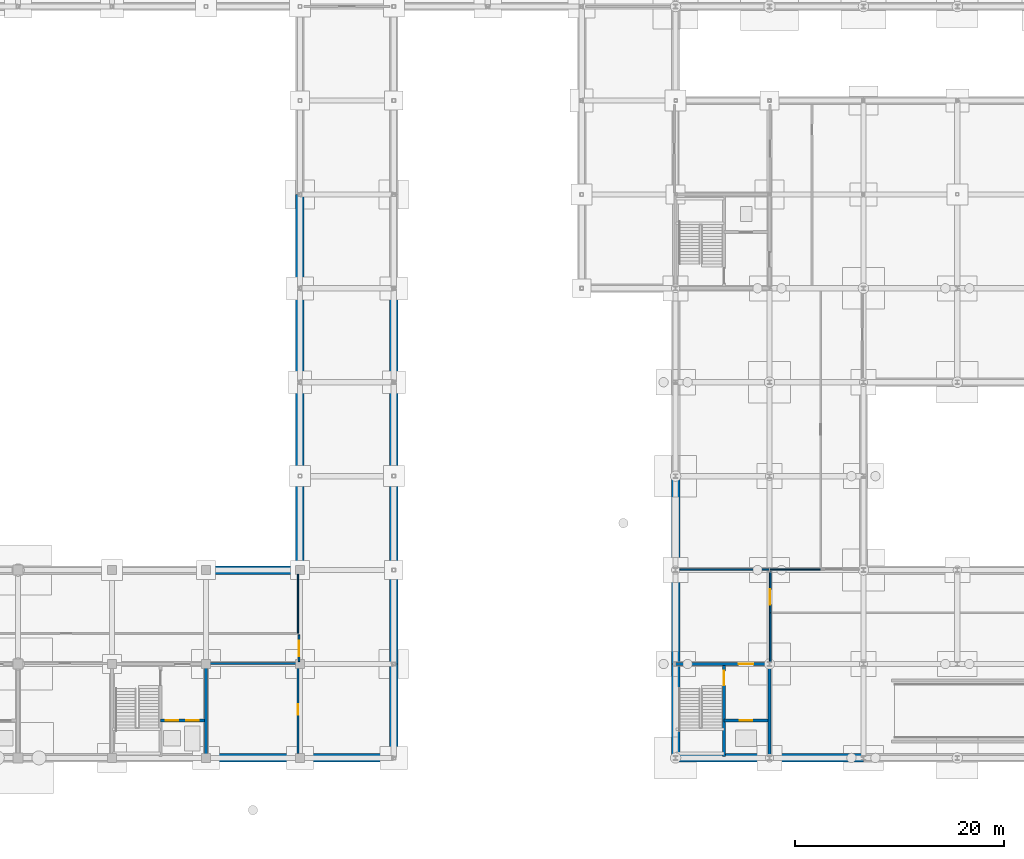
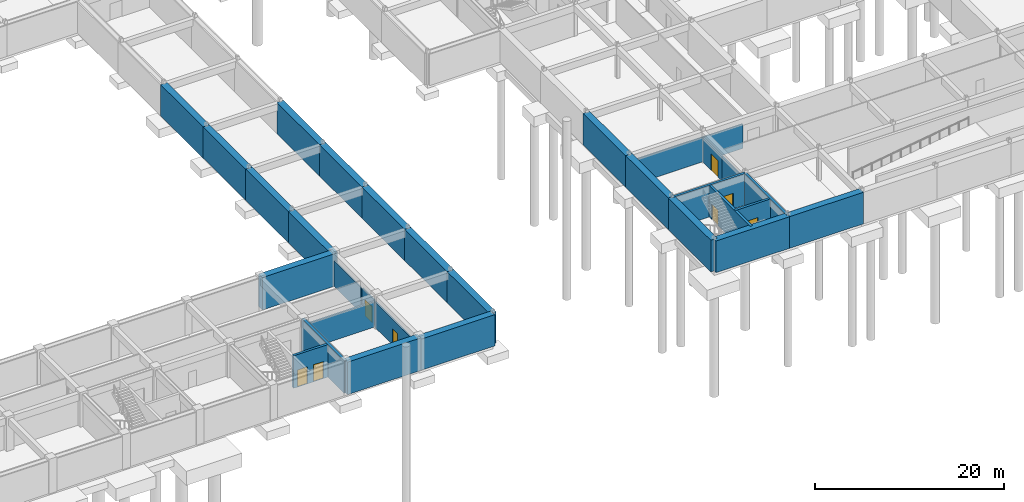
# One storey, part 26 of 41: 31 walls, 8 doors, 8 openings.
"""IFC4 building model written with IfcOpenShell, lengths in metres."""

from ifc_helpers import new_model, si_unit, direction, frame, frame_2d, origin, place, context, subcontext, project, spatial, rectangle, extrude, material, layer, layer_set, type_object, element, fill, save


model = new_model("IFC4")

# Units and contexts
model_context = context("Model", 3, precision=1e-05, world=origin(), true_north=direction((0.0, 1.0)))
body_context = subcontext(model_context, "Body", "Model", "MODEL_VIEW")
ifc_project = project(units=[si_unit("LENGTHUNIT", "METRE"), si_unit("AREAUNIT", "SQUARE_METRE"), si_unit("VOLUMEUNIT", "CUBIC_METRE"), si_unit("PLANEANGLEUNIT", "RADIAN"), si_unit("MASSUNIT", "GRAM", prefix="KILO")], contexts=[model_context])

# Site, building, storey
site_placement = place(None, origin())
site = spatial("IfcSite", under=ifc_project, at=site_placement, CompositionType="ELEMENT")
building_placement = place(site_placement, origin())
building = spatial("IfcBuilding", under=site, at=building_placement, Name="Palais des Congres Ocreval", CompositionType="ELEMENT")
storey_placement = place(building_placement, frame((0.0, 0.0, -8.9599609375)))
storey = spatial("IfcBuildingStorey", under=building, at=storey_placement, Name="B2", CompositionType="ELEMENT", Elevation=-8.9599609375)

# Wall
ifc_material_1 = material(Name="Gypsum acoustic fire board")
ifc_layer_1 = layer(ifc_material_1, 0.199951171875)
ifc_layer_set_1 = layer_set([ifc_layer_1], Name="Compartment Fire Partition 200 Gypsum (Gypsum acoustic fire board)")
wall_type_1 = type_object("IfcWallType", Name="Compartment Fire Partition 200 Gypsum", PredefinedType="PARTITIONING", material=ifc_layer_set_1)
wall_1_placement = place(storey_placement, frame((63.155029296875, 9.06494140625, 0.0), z_axis=(0.0, 0.0, 1.0), x_axis=(1.0, 0.0, 0.0)))
element("IfcWall", 1, at=wall_1_placement, inside=storey, type_object=wall_type_1, Name="Interior Partition IW01 B2", PredefinedType="PARTITIONING", context=body_context, shape_type="SweptSolid", body=[
    extrude(rectangle(XDim=8.574951171875, YDim=0.199951171875, at=frame_2d((4.28759765625, 0.0))), origin(), (0.0, 0.0, 1.0), 3.300048828125),
])

# Wall, opening, door
wall_2_placement = place(storey_placement, frame((71.824951171875, 0.405029296875, 0.0), z_axis=(0.0, 0.0, 1.0), x_axis=(0.0, 1.0, 0.0)))
wall_2 = element("IfcWall", 2, at=wall_2_placement, inside=storey, type_object=wall_type_1, Name="Interior Partition IW01 B2", PredefinedType="PARTITIONING", context=body_context, shape_type="SweptSolid", body=[
    extrude(rectangle(XDim=8.5048828125, YDim=0.199951171875, at=frame_2d((4.25244140625, 0.0))), origin(), (0.0, 0.0, 1.0), 3.300048828125),
])
opening_1_placement = place(wall_2_placement, frame((3.75244140625, 0.0, 0.0)))
opening_1 = element("IfcOpeningElement", 3, at=opening_1_placement, cuts=wall_2, Name="Opening D10", PredefinedType="OPENING", context=body_context, shape_type="SweptSolid", body=[
    extrude(rectangle(XDim=1.0, YDim=2.10009765625, at=frame_2d((0.5, 1.050048828125))), frame((0.0, 0.10986328125, 0.0), z_axis=(0.0, -1.0, 0.0), x_axis=(1.0, 0.0, 0.0)), (0.0, 0.0, 1.0), 0.219970703125),
])
ifc_material_2 = material(Name="Painted steel", Category="steel")
door_type_1 = type_object("IfcDoorType", Name="Service and Pantry Door 1000x2100", OperationType="NOTDEFINED", PredefinedType="DOOR", material=ifc_material_2)
door_1_placement = place(opening_1_placement, origin())
door_1 = element("IfcDoor", 4, at=door_1_placement, inside=storey, type_object=door_type_1, Name="Interior Door D10 B2", OperationType="SINGLE_SWING_LEFT", OverallHeight=2.10009765625, OverallWidth=1.0, PredefinedType="DOOR", context=body_context, shape_type="SweptSolid", body=[
    extrude(rectangle(XDim=1.0, YDim=2.10009765625, at=frame_2d((0.5, 1.050048828125))), frame((0.0, 0.02490234375, 0.0), z_axis=(0.0, -1.0, 0.0), x_axis=(1.0, 0.0, 0.0)), (0.0, 0.0, 1.0), 0.050048828125),
])
fill(opening_1, door_1)

# Wall
ifc_material_3 = material(Name="Concrete C40/50", Category="concrete")
ifc_layer_2 = layer(ifc_material_3, 0.300048828125)
ifc_layer_set_2 = layer_set([ifc_layer_2], Name="Core Shear Wall 300 Concrete C40/50")
wall_type_2 = type_object("IfcWallType", Name="Core Shear Wall 300 Concrete C40/50", PredefinedType="SHEAR", material=ifc_layer_set_2)
wall_3_placement = place(storey_placement, frame((63.0, 0.0, 0.0), z_axis=(0.0, 0.0, 1.0), x_axis=(0.0, 1.0, 0.0)))
element("IfcWall", 5, at=wall_3_placement, inside=storey, type_object=wall_type_2, Name="Core Shear Wall SC04 B2 E", PredefinedType="SHEAR", context=body_context, shape_type="SweptSolid", body=[
    extrude(rectangle(XDim=9.0, YDim=0.300048828125, at=frame_2d((4.5, 0.0))), origin(), (0.0, 0.0, 1.0), 4.199951171875),
])

# Wall, openings, doors
wall_4_placement = place(storey_placement, frame((58.64990234375, 3.60009765625, 0.0), z_axis=(0.0, 0.0, 1.0), x_axis=(1.0, 0.0, 0.0)))
wall_4 = element("IfcWall", 6, at=wall_4_placement, inside=storey, type_object=wall_type_2, Name="Lift Shaft Front Wall SC04 B2", PredefinedType="SHEAR", context=body_context, shape_type="SweptSolid", body=[
    extrude(rectangle(XDim=4.2001953125, YDim=0.300048828125, at=frame_2d((2.10009765625, 0.0))), origin(), (0.0, 0.0, 1.0), 4.199951171875),
])
opening_2_placement = place(wall_4_placement, frame((0.5, 0.0, 0.0)))
opening_2 = element("IfcOpeningElement", 7, at=opening_2_placement, cuts=wall_4, Name="Opening LD02", PredefinedType="OPENING", context=body_context, shape_type="SweptSolid", body=[
    extrude(rectangle(XDim=1.199951171875, YDim=2.199951171875, at=frame_2d((0.60009765625, 1.10009765625))), frame((0.0, 0.159912109375, 0.0), z_axis=(0.0, -1.0, 0.0), x_axis=(1.0, 0.0, 0.0)), (0.0, 0.0, 1.0), 0.320068359375),
])
opening_3_placement = place(wall_4_placement, frame((2.449951171875, 0.0, 0.0)))
opening_3 = element("IfcOpeningElement", 8, at=opening_3_placement, cuts=wall_4, Name="Opening LD02", PredefinedType="OPENING", context=body_context, shape_type="SweptSolid", body=[
    extrude(rectangle(XDim=1.199951171875, YDim=2.199951171875, at=frame_2d((0.60009765625, 1.10009765625))), frame((0.0, 0.159912109375, 0.0), z_axis=(0.0, -1.0, 0.0), x_axis=(1.0, 0.0, 0.0)), (0.0, 0.0, 1.0), 0.320068359375),
])
ifc_material_4 = material(Name="Anodized bronze steel", Category="steel")
door_type_2 = type_object("IfcDoorType", Name="Passenger and Service Lift Sliding Door 1200x2200", OperationType="NOTDEFINED", PredefinedType="DOOR", material=ifc_material_4)
door_2_placement = place(opening_2_placement, origin())
door_2 = element("IfcDoor", 9, at=door_2_placement, inside=storey, type_object=door_type_2, Name="Lift Landing Sliding Door PL4 B2", OperationType="DOUBLE_DOOR_SLIDING", OverallHeight=2.199951171875, OverallWidth=1.199951171875, PredefinedType="DOOR", context=body_context, shape_type="SweptSolid", body=[
    extrude(rectangle(XDim=1.199951171875, YDim=2.199951171875, at=frame_2d((0.60009765625, 1.10009765625))), frame((0.0, 0.02490234375, 0.0), z_axis=(0.0, -1.0, 0.0), x_axis=(1.0, 0.0, 0.0)), (0.0, 0.0, 1.0), 0.050048828125),
])
fill(opening_2, door_2)
door_3_placement = place(opening_3_placement, origin())
door_3 = element("IfcDoor", 10, at=door_3_placement, inside=storey, type_object=door_type_2, Name="Lift Landing Sliding Door BL1 B2", OperationType="DOUBLE_DOOR_SLIDING", OverallHeight=2.199951171875, OverallWidth=1.199951171875, PredefinedType="DOOR", context=body_context, shape_type="SweptSolid", body=[
    extrude(rectangle(XDim=1.199951171875, YDim=2.199951171875, at=frame_2d((0.60009765625, 1.10009765625))), frame((0.0, 0.02490234375, 0.0), z_axis=(0.0, -1.0, 0.0), x_axis=(1.0, 0.0, 0.0)), (0.0, 0.0, 1.0), 0.050048828125),
])
fill(opening_3, door_3)

# Wall
wall_5_placement = place(storey_placement, frame((117.0, 0.0, 0.0), z_axis=(0.0, 0.0, 1.0), x_axis=(0.0, 1.0, 0.0)))
element("IfcWall", 11, at=wall_5_placement, inside=storey, type_object=wall_type_2, Name="Core Shear Wall SC09 B2 E", PredefinedType="SHEAR", context=body_context, shape_type="SweptSolid", body=[
    extrude(rectangle(XDim=9.0, YDim=0.300048828125, at=frame_2d((4.5, 0.0))), origin(), (0.0, 0.0, 1.0), 4.080078125),
])

# Wall, opening, door
wall_6_placement = place(storey_placement, frame((108.0, 9.0, 0.0), z_axis=(0.0, 0.0, 1.0), x_axis=(1.0, 0.0, 0.0)))
wall_6 = element("IfcWall", 12, at=wall_6_placement, inside=storey, type_object=wall_type_2, Name="Core Shear Wall SC09 B2 N", PredefinedType="SHEAR", context=body_context, shape_type="SweptSolid", body=[
    extrude(rectangle(XDim=9.0, YDim=0.300048828125, at=frame_2d((4.5, 0.0))), origin(), (0.0, 0.0, 1.0), 4.080078125),
])
opening_4_placement = place(wall_6_placement, frame((6.050048828125, 0.0, 0.0)))
opening_4 = element("IfcOpeningElement", 13, at=opening_4_placement, cuts=wall_6, Name="Opening D03", PredefinedType="OPENING", context=body_context, shape_type="SweptSolid", body=[
    extrude(rectangle(XDim=1.39990234375, YDim=2.02001953125, at=frame_2d((0.699951171875, 1.010009765625))), frame((0.0, 0.159912109375, 0.0), z_axis=(0.0, -1.0, 0.0), x_axis=(1.0, 0.0, 0.0)), (0.0, 0.0, 1.0), 0.320068359375),
])
ifc_material_5 = material(Name="Painted fire-rated steel", Category="steel")
door_type_3 = type_object("IfcDoorType", Name="Core Lobby Rated Door 1400x2020", OperationType="NOTDEFINED", PredefinedType="DOOR", material=ifc_material_5)
door_4_placement = place(opening_4_placement, origin())
door_4 = element("IfcDoor", 14, at=door_4_placement, inside=storey, type_object=door_type_3, Name="Lobby Entrance Door SC09 B2", OperationType="DOUBLE_DOOR_SINGLE_SWING", OverallHeight=2.02001953125, OverallWidth=1.39990234375, PredefinedType="DOOR", context=body_context, shape_type="SweptSolid", body=[
    extrude(rectangle(XDim=1.39990234375, YDim=2.02001953125, at=frame_2d((0.699951171875, 1.010009765625))), frame((0.0, 0.02490234375, 0.0), z_axis=(0.0, -1.0, 0.0), x_axis=(1.0, 0.0, 0.0)), (0.0, 0.0, 1.0), 0.050048828125),
])
fill(opening_4, door_4)

wall_7_placement = place(storey_placement, frame((112.64990234375, 0.14990234375, 0.0), z_axis=(0.0, 0.0, 1.0), x_axis=(0.0, 1.0, 0.0)))
wall_7 = element("IfcWall", 15, at=wall_7_placement, inside=storey, type_object=wall_type_2, Name="Core Spine Shear Wall SC09 B2", PredefinedType="SHEAR", context=body_context, shape_type="SweptSolid", body=[
    extrude(rectangle(XDim=8.7001953125, YDim=0.300048828125, at=frame_2d((4.35009765625, 0.0))), origin(), (0.0, 0.0, 1.0), 4.080078125),
])
opening_5_placement = place(wall_7_placement, frame((6.800048828125, 0.0, 0.0)))
opening_5 = element("IfcOpeningElement", 16, at=opening_5_placement, cuts=wall_7, Name="Opening D03", PredefinedType="OPENING", context=body_context, shape_type="SweptSolid", body=[
    extrude(rectangle(XDim=1.39990234375, YDim=2.02001953125, at=frame_2d((0.699951171875, 1.010009765625))), frame((0.0, 0.159912109375, 0.0), z_axis=(0.0, -1.0, 0.0), x_axis=(1.0, 0.0, 0.0)), (0.0, 0.0, 1.0), 0.320068359375),
])
door_5_placement = place(opening_5_placement, origin())
door_5 = element("IfcDoor", 17, at=door_5_placement, inside=storey, type_object=door_type_3, Name="Protected Exit Stair Door ST09 B2", OperationType="SINGLE_SWING_LEFT", OverallHeight=2.02001953125, OverallWidth=1.39990234375, PredefinedType="DOOR", context=body_context, shape_type="SweptSolid", body=[
    extrude(rectangle(XDim=1.39990234375, YDim=2.02001953125, at=frame_2d((0.699951171875, 1.010009765625))), frame((0.0, 0.02490234375, 0.0), z_axis=(0.0, -1.0, 0.0), x_axis=(1.0, 0.0, 0.0)), (0.0, 0.0, 1.0), 0.050048828125),
])
fill(opening_5, door_5)

wall_8_placement = place(storey_placement, frame((112.64990234375, 3.60009765625, 0.0), z_axis=(0.0, 0.0, 1.0), x_axis=(1.0, 0.0, 0.0)))
wall_8 = element("IfcWall", 18, at=wall_8_placement, inside=storey, type_object=wall_type_2, Name="Lift Shaft Front Wall SC09 B2", PredefinedType="SHEAR", context=body_context, shape_type="SweptSolid", body=[
    extrude(rectangle(XDim=4.2001953125, YDim=0.300048828125, at=frame_2d((2.10009765625, 0.0))), origin(), (0.0, 0.0, 1.0), 4.080078125),
])
opening_6_placement = place(wall_8_placement, frame((1.5, 0.0, 0.0)))
opening_6 = element("IfcOpeningElement", 19, at=opening_6_placement, cuts=wall_8, Name="Opening LD02", PredefinedType="OPENING", context=body_context, shape_type="SweptSolid", body=[
    extrude(rectangle(XDim=1.199951171875, YDim=2.199951171875, at=frame_2d((0.60009765625, 1.10009765625))), frame((0.0, 0.159912109375, 0.0), z_axis=(0.0, -1.0, 0.0), x_axis=(1.0, 0.0, 0.0)), (0.0, 0.0, 1.0), 0.320068359375),
])
door_6_placement = place(opening_6_placement, origin())
door_6 = element("IfcDoor", 20, at=door_6_placement, inside=storey, type_object=door_type_2, Name="Lift Landing Sliding Door CL3 B2", OperationType="DOUBLE_DOOR_SLIDING", OverallHeight=2.199951171875, OverallWidth=1.199951171875, PredefinedType="DOOR", context=body_context, shape_type="SweptSolid", body=[
    extrude(rectangle(XDim=1.199951171875, YDim=2.199951171875, at=frame_2d((0.60009765625, 1.10009765625))), frame((0.0, 0.02490234375, 0.0), z_axis=(0.0, -1.0, 0.0), x_axis=(1.0, 0.0, 0.0)), (0.0, 0.0, 1.0), 0.050048828125),
])
fill(opening_6, door_6)

# Walls
ifc_material_6 = material(Name="Gypsum acoustic partition")
ifc_layer_3 = layer(ifc_material_6, 0.159912109375)
ifc_layer_set_3 = layer_set([ifc_layer_3], Name="Corridor Fire Partition 160 Gypsum (Gypsum acoustic partition)")
wall_type_3 = type_object("IfcWallType", Name="Corridor Fire Partition 160 Gypsum", PredefinedType="PARTITIONING", material=ifc_layer_set_3)
wall_9_placement = place(storey_placement, frame((117.06494140625, 9.155029296875, 0.0), z_axis=(0.0, 0.0, 1.0), x_axis=(0.0, 1.0, 0.0)))
element("IfcWall", 21, at=wall_9_placement, inside=storey, type_object=wall_type_3, Name="Interior Partition IW03 B2", PredefinedType="PARTITIONING", context=body_context, shape_type="SweptSolid", body=[
    extrude(rectangle(XDim=4.744873046875, YDim=0.159912109375, at=frame_2d((2.37255859375, 0.0))), origin(), (0.0, 0.0, 1.0), 3.179931640625),
])
wall_10_placement = place(storey_placement, frame((108.405029296875, 18.06494140625, 0.0), z_axis=(0.0, 0.0, 1.0), x_axis=(1.0, 0.0, 0.0)))
element("IfcWall", 22, at=wall_10_placement, inside=storey, type_object=wall_type_3, Name="Interior Partition IW03 B2", PredefinedType="PARTITIONING", context=body_context, shape_type="SweptSolid", body=[
    extrude(rectangle(XDim=8.655029296875, YDim=0.159912109375, at=frame_2d((4.32763671875, 0.0))), origin(), (0.0, 0.0, 1.0), 3.179931640625),
])

# Wall, opening, door
wall_11_placement = place(storey_placement, frame((71.909912109375, 9.219970703125, 0.0), z_axis=(0.0, 0.0, 1.0), x_axis=(0.0, 1.0, 0.0)))
wall_11 = element("IfcWall", 23, at=wall_11_placement, inside=storey, type_object=wall_type_3, Name="Interior Partition IW03 B2", PredefinedType="PARTITIONING", context=body_context, shape_type="SweptSolid", body=[
    extrude(rectangle(XDim=2.56005859375, YDim=0.159912109375, at=frame_2d((1.280029296875, 0.0))), origin(), (0.0, 0.0, 1.0), 3.300048828125),
])
opening_7_placement = place(wall_11_placement, frame((0.530029296875, 0.0, 0.0)))
opening_7 = element("IfcOpeningElement", 24, at=opening_7_placement, cuts=wall_11, Name="Opening D04", PredefinedType="OPENING", context=body_context, shape_type="SweptSolid", body=[
    extrude(rectangle(XDim=1.5, YDim=2.10009765625, at=frame_2d((0.75, 1.050048828125))), frame((0.0, 0.08984375, 0.0), z_axis=(0.0, -1.0, 0.0), x_axis=(1.0, 0.0, 0.0)), (0.0, 0.0, 1.0), 0.179931640625),
])
ifc_material_7 = material(Name="Solid French oak fire door", Category="wood")
door_type_4 = type_object("IfcDoorType", Name="Corridor Compartment Double Door 1500x2100", OperationType="NOTDEFINED", PredefinedType="DOOR", material=ifc_material_7)
door_7_placement = place(opening_7_placement, origin())
door_7 = element("IfcDoor", 25, at=door_7_placement, inside=storey, type_object=door_type_4, Name="Interior Door D04 B2", OperationType="DOUBLE_DOOR_SINGLE_SWING", OverallHeight=2.10009765625, OverallWidth=1.5, PredefinedType="DOOR", context=body_context, shape_type="SweptSolid", body=[
    extrude(rectangle(XDim=1.5, YDim=2.10009765625, at=frame_2d((0.75, 1.050048828125))), frame((0.0, 0.02490234375, 0.0), z_axis=(0.0, -1.0, 0.0), x_axis=(1.0, 0.0, 0.0)), (0.0, 0.0, 1.0), 0.050048828125),
])
fill(opening_7, door_7)

wall_12_placement = place(storey_placement, frame((117.06494140625, 13.919921875, 0.0), z_axis=(0.0, 0.0, 1.0), x_axis=(0.0, 1.0, 0.0)))
wall_12 = element("IfcWall", 26, at=wall_12_placement, inside=storey, type_object=wall_type_3, Name="Interior Partition IW03 B2", PredefinedType="PARTITIONING", context=body_context, shape_type="SweptSolid", body=[
    extrude(rectangle(XDim=3.989990234375, YDim=0.159912109375, at=frame_2d((1.9951171875, 0.0))), origin(), (0.0, 0.0, 1.0), 3.179931640625),
])
opening_8_placement = place(wall_12_placement, frame((0.76611328125, 0.0, 0.0)))
opening_8 = element("IfcOpeningElement", 27, at=opening_8_placement, cuts=wall_12, Name="Opening D04", PredefinedType="OPENING", context=body_context, shape_type="SweptSolid", body=[
    extrude(rectangle(XDim=1.5, YDim=2.10009765625, at=frame_2d((0.75, 1.050048828125))), frame((0.0, 0.08984375, 0.0), z_axis=(0.0, -1.0, 0.0), x_axis=(1.0, 0.0, 0.0)), (0.0, 0.0, 1.0), 0.179931640625),
])
door_8_placement = place(opening_8_placement, origin())
door_8 = element("IfcDoor", 28, at=door_8_placement, inside=storey, type_object=door_type_4, Name="Interior Door D04 B2", OperationType="DOUBLE_DOOR_SINGLE_SWING", OverallHeight=2.10009765625, OverallWidth=1.5, PredefinedType="DOOR", context=body_context, shape_type="SweptSolid", body=[
    extrude(rectangle(XDim=1.5, YDim=2.10009765625, at=frame_2d((0.75, 1.050048828125))), frame((0.0, 0.02490234375, 0.0), z_axis=(0.0, -1.0, 0.0), x_axis=(1.0, 0.0, 0.0)), (0.0, 0.0, 1.0), 0.050048828125),
])
fill(opening_8, door_8)

# Walls
ifc_material_8 = material(Name="Concrete C35/45", Category="concrete")
ifc_layer_4 = layer(ifc_material_8, 0.800048828125)
ifc_layer_set_4 = layer_set([ifc_layer_4], Name="Retaining Diaphragm Wall 800 Concrete C35/45")
wall_type_4 = type_object("IfcWallType", Name="Retaining Diaphragm Wall 800 Concrete C35/45", PredefinedType="USERDEFINED", material=ifc_layer_set_4)
wall_13_placement = place(storey_placement, frame((72.0, 0.0, 0.0), z_axis=(0.0, 0.0, 1.0), x_axis=(-1.0, 0.0, 0.0)))
element("IfcWall", 29, at=wall_13_placement, inside=storey, type_object=wall_type_4, Name="Basement Diaphragm Wall RW01 B2", ObjectType="RETAININGWALL", PredefinedType="USERDEFINED", context=body_context, shape_type="SweptSolid", body=[
    extrude(rectangle(XDim=9.0, YDim=0.800048828125, at=frame_2d((4.5, 0.0))), origin(), (0.0, 0.0, 1.0), 4.199951171875),
])
for number, where, z_axis, x_axis, name in (
    (30, (126.0, 0.0, 0.0), (0.0, 0.0, 1.0), (-1.0, 0.0, 0.0), "Basement Diaphragm Wall RW01 B2"),
    (31, (117.0, 0.0, 0.0), (0.0, 0.0, 1.0), (-1.0, 0.0, 0.0), "Basement Diaphragm Wall RW01 B2"),
    (32, (108.0, 0.0, 0.0), (0.0, 0.0, 1.0), (0.0, 1.0, 0.0), "Basement Diaphragm Wall RW01 B2"),
    (33, (108.0, 9.0, 0.0), (0.0, 0.0, 1.0), (0.0, 1.0, 0.0), "Basement Diaphragm Wall RW01 B2"),
    (34, (108.0, 18.0, 0.0), (0.0, 0.0, 1.0), (0.0, 1.0, 0.0), "Basement Diaphragm Wall RW01 B2"),
):
    element("IfcWall", number, at=place(storey_placement, frame(where, z_axis=z_axis, x_axis=x_axis)), inside=storey, type_object=wall_type_4, Name=name, ObjectType="RETAININGWALL", PredefinedType="USERDEFINED", context=body_context, shape_type="SweptSolid", body=[
        extrude(rectangle(XDim=9.0, YDim=0.800048828125, at=frame_2d((4.5, 0.0))), origin(), (0.0, 0.0, 1.0), 4.080078125),
    ])
for number, where, z_axis, x_axis, name in (
    (35, (81.0, 45.0, 0.0), (0.0, 0.0, 1.0), (0.0, -1.0, 0.0), "Basement Diaphragm Wall RW01 B2"),
    (36, (81.0, 36.0, 0.0), (0.0, 0.0, 1.0), (0.0, -1.0, 0.0), "Basement Diaphragm Wall RW01 B2"),
    (37, (81.0, 27.0, 0.0), (0.0, 0.0, 1.0), (0.0, -1.0, 0.0), "Basement Diaphragm Wall RW01 B2"),
    (38, (81.0, 18.0, 0.0), (0.0, 0.0, 1.0), (0.0, -1.0, 0.0), "Basement Diaphragm Wall RW01 B2"),
    (39, (81.0, 9.0, 0.0), (0.0, 0.0, 1.0), (0.0, -1.0, 0.0), "Basement Diaphragm Wall RW01 B2"),
    (40, (81.0, 0.0, 0.0), (0.0, 0.0, 1.0), (-1.0, 0.0, 0.0), "Basement Diaphragm Wall RW01 B2"),
):
    element("IfcWall", number, at=place(storey_placement, frame(where, z_axis=z_axis, x_axis=x_axis)), inside=storey, type_object=wall_type_4, Name=name, ObjectType="RETAININGWALL", PredefinedType="USERDEFINED", context=body_context, shape_type="SweptSolid", body=[
        extrude(rectangle(XDim=9.0, YDim=0.800048828125, at=frame_2d((4.5, 0.0))), origin(), (0.0, 0.0, 1.0), 4.030029296875),
    ])
wall_14_placement = place(storey_placement, frame((63.0, 18.0, 0.0), z_axis=(0.0, 0.0, 1.0), x_axis=(1.0, 0.0, 0.0)))
element("IfcWall", 41, at=wall_14_placement, inside=storey, type_object=wall_type_4, Name="Basement Diaphragm Wall RW01 B2", ObjectType="RETAININGWALL", PredefinedType="USERDEFINED", context=body_context, shape_type="SweptSolid", body=[
    extrude(rectangle(XDim=9.0, YDim=0.800048828125, at=frame_2d((4.5, 0.0))), origin(), (0.0, 0.0, 1.0), 4.199951171875),
])
for number, where, z_axis, x_axis, name in (
    (42, (72.0, 18.0, 0.0), (0.0, 0.0, 1.0), (0.0, 1.0, 0.0), "Basement Diaphragm Wall RW01 B2"),
    (43, (72.0, 27.0, 0.0), (0.0, 0.0, 1.0), (0.0, 1.0, 0.0), "Basement Diaphragm Wall RW01 B2"),
    (44, (72.0, 36.0, 0.0), (0.0, 0.0, 1.0), (0.0, 1.0, 0.0), "Basement Diaphragm Wall RW01 B2"),
    (45, (72.0, 45.0, 0.0), (0.0, 0.0, 1.0), (0.0, 1.0, 0.0), "Basement Diaphragm Wall RW01 B2"),
):
    element("IfcWall", number, at=place(storey_placement, frame(where, z_axis=z_axis, x_axis=x_axis)), inside=storey, type_object=wall_type_4, Name=name, ObjectType="RETAININGWALL", PredefinedType="USERDEFINED", context=body_context, shape_type="SweptSolid", body=[
        extrude(rectangle(XDim=9.0, YDim=0.800048828125, at=frame_2d((4.5, 0.0))), origin(), (0.0, 0.0, 1.0), 4.030029296875),
    ])
ifc_material_9 = material(Name="Gypsum board partition")
ifc_layer_5 = layer(ifc_material_9, 0.1201171875)
ifc_layer_set_5 = layer_set([ifc_layer_5], Name="Suite Subdivision Partition 120 Gypsum (Gypsum board partition)")
wall_type_5 = type_object("IfcWallType", Name="Suite Subdivision Partition 120 Gypsum", PredefinedType="PARTITIONING", material=ifc_layer_set_5)
wall_15_placement = place(storey_placement, frame((71.824951171875, 11.93994140625, 0.0), z_axis=(0.0, 0.0, 1.0), x_axis=(0.0, 1.0, 0.0)))
element("IfcWall", 46, at=wall_15_placement, inside=storey, type_object=wall_type_5, Name="Interior Partition IW04 B2", PredefinedType="PARTITIONING", context=body_context, shape_type="SweptSolid", body=[
    extrude(rectangle(XDim=5.655029296875, YDim=0.1201171875, at=frame_2d((2.82763671875, 0.0))), origin(), (0.0, 0.0, 1.0), 3.300048828125),
])
wall_16_placement = place(storey_placement, frame((117.070068359375, 18.06494140625, 0.0), z_axis=(0.0, 0.0, 1.0), x_axis=(1.0, 0.0, 0.0)))
element("IfcWall", 47, at=wall_16_placement, inside=storey, type_object=wall_type_5, Name="Interior Partition IW04 B2", PredefinedType="PARTITIONING", context=body_context, shape_type="SweptSolid", body=[
    extrude(rectangle(XDim=4.829833984375, YDim=0.1201171875, at=frame_2d((2.4150390625, 0.0))), origin(), (0.0, 0.0, 1.0), 3.179931640625),
])

save(model, "model.ifc")
